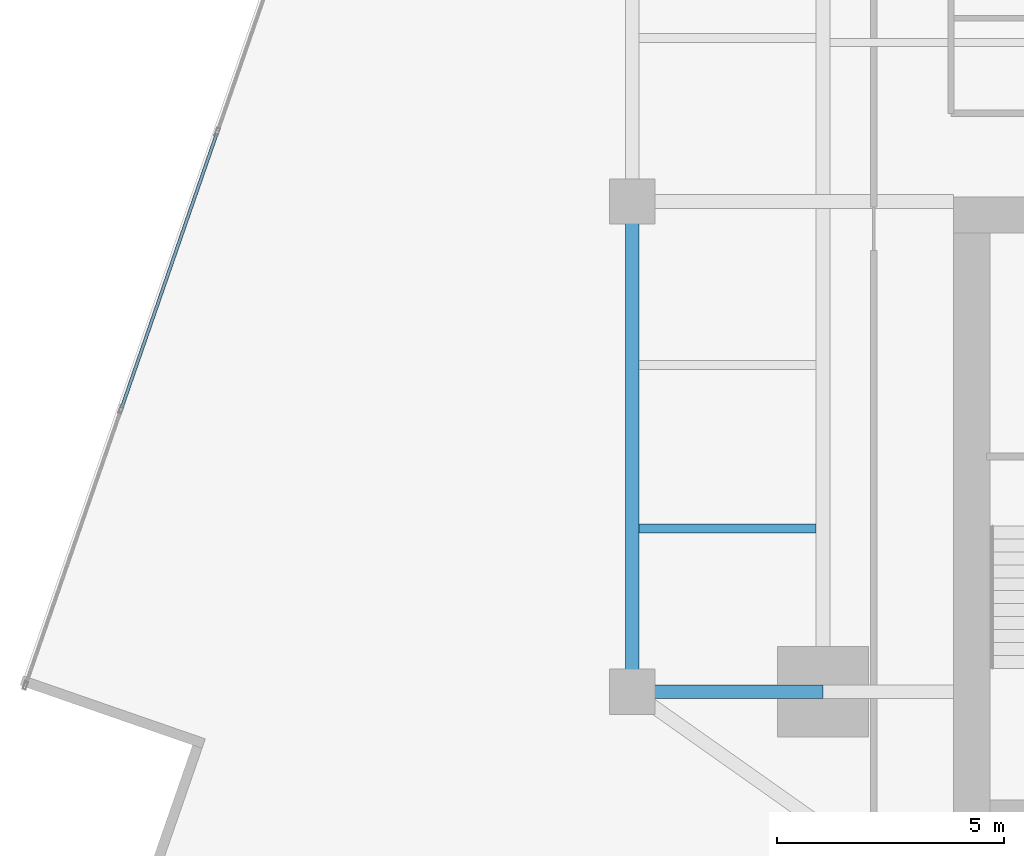
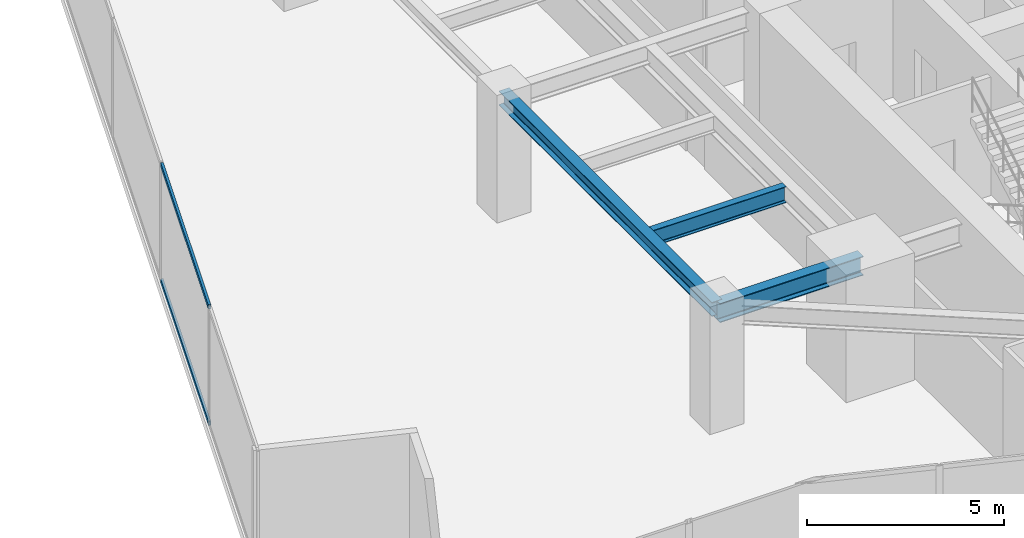
# One storey, part 7 of 27: 3 beams, 2 members, 1 element without a shape of its own.
"""IFC4 building model written with IfcOpenShell, lengths in metres."""

from ifc_helpers import new_model, si_unit, direction, frame, origin, origin_2d, place, context, subcontext, project, spatial, hollow_rectangle, i_section, extrude, source, transform, mapped, material, material_profile, profile_set, type_object, type_shapes, element, aggregate, save


model = new_model("IFC4")

# Units and contexts
model_context = context("Model", 3, precision=1e-05, world=origin(), true_north=direction((0.0, 1.0)))
body_context = subcontext(model_context, "Body", "Model", "MODEL_VIEW")
ifc_project = project(units=[si_unit("LENGTHUNIT", "METRE"), si_unit("AREAUNIT", "SQUARE_METRE"), si_unit("VOLUMEUNIT", "CUBIC_METRE"), si_unit("PLANEANGLEUNIT", "RADIAN"), si_unit("MASSUNIT", "GRAM", prefix="KILO")], contexts=[model_context])

# Site, building, storey
site_placement = place(None, origin())
site = spatial("IfcSite", under=ifc_project, at=site_placement, CompositionType="ELEMENT")
building_placement = place(site_placement, origin())
building = spatial("IfcBuilding", under=site, at=building_placement, Name="Krantzveldt Concourse Tower", CompositionType="ELEMENT")
storey_placement = place(building_placement, frame((0.0, 0.0, 121.64990234375)))
storey = spatial("IfcBuildingStorey", under=building, at=storey_placement, Name="L29", CompositionType="ELEMENT", Elevation=121.64990234375)

# Beams
ifc_material_1 = material(Name="Steel S355JR", Category="steel")
ifc_material_profile_1 = material_profile(ifc_material_1, i_section(OverallWidth=0.300048828125, OverallDepth=0.43994140625, WebThickness=0.011474609375, FlangeThickness=0.02099609375, FilletRadius=0.027099609375, at=origin_2d()), Name="Steel S355JR", Category="steel")
ifc_profile_set_1 = profile_set([ifc_material_profile_1], Name="Steel S355JR - HEA 450")
beam_type_1 = type_object("IfcBeamType", Name="BM-SP-HEA450", PredefinedType="SPANDREL", material=ifc_profile_set_1)
shared_shape_1 = source(origin(), body_context, "Body", "SweptSolid", [
    extrude(i_section(OverallWidth=0.300048828125, OverallDepth=0.43994140625, WebThickness=0.011474609375, FlangeThickness=0.02099609375, FilletRadius=0.027099609375, at=origin_2d()), origin(), (0.0, 0.0, 1.0), 10.800048828125),
])
type_shapes(beam_type_1, [shared_shape_1])
beam_1_placement = place(storey_placement, frame((21.0, 15.89990234375, 3.4501953125), z_axis=(0.0, 1.0, 0.0), x_axis=(-1.0, 0.0, 0.0)))
element("IfcBeam", 1, at=beam_1_placement, inside=storey, type_object=beam_type_1, Name="L29 Tower Girder SP-R01", PredefinedType="SPANDREL", context=body_context, shape_type="MappedRepresentation", body=[
    mapped(shared_shape_1, transform((0.0, 0.0, 0.0), x_axis=(1.0, 0.0, 0.0), y_axis=(0.0, 1.0, 0.0), z_axis=(0.0, 0.0, 1.0), scale=1.0)),
])
ifc_material_profile_2 = material_profile(ifc_material_1, i_section(OverallWidth=0.300048828125, OverallDepth=0.590087890625, WebThickness=0.012939453125, FlangeThickness=0.02490234375, FilletRadius=0.027099609375, at=origin_2d()), Name="Steel S355JR", Category="steel")
ifc_profile_set_2 = profile_set([ifc_material_profile_2], Name="Steel S355JR - HEA 600")
beam_type_2 = type_object("IfcBeamType", Name="BM-B-HEA600", PredefinedType="BEAM", material=ifc_profile_set_2)
shared_shape_2 = source(origin(), body_context, "Body", "SweptSolid", [
    extrude(i_section(OverallWidth=0.300048828125, OverallDepth=0.590087890625, WebThickness=0.012939453125, FlangeThickness=0.02490234375, FilletRadius=0.027099609375, at=origin_2d()), origin(), (0.0, 0.0, 1.0), 4.199951171875),
])
type_shapes(beam_type_2, [shared_shape_2])
beam_2_placement = place(storey_placement, frame((21.0, 15.89990234375, 3.375), z_axis=(1.0, 0.0, 0.0), x_axis=(0.0, 1.0, 0.0)))
element("IfcBeam", 2, at=beam_2_placement, inside=storey, type_object=beam_type_2, Name="L29 Tower Girder BR-RL1", PredefinedType="BEAM", context=body_context, shape_type="MappedRepresentation", body=[
    mapped(shared_shape_2, transform((0.0, 0.0, 0.0), x_axis=(1.0, 0.0, 0.0), y_axis=(0.0, 1.0, 0.0), z_axis=(0.0, 0.0, 1.0), scale=1.0)),
])
ifc_material_profile_3 = material_profile(ifc_material_1, i_section(OverallWidth=0.199951171875, OverallDepth=0.5, WebThickness=0.01025390625, FlangeThickness=0.01611328125, FilletRadius=0.02099609375, at=origin_2d()), Name="Steel S355JR", Category="steel")
ifc_profile_set_3 = profile_set([ifc_material_profile_3], Name="Steel S355JR - IPE 500")
beam_type_3 = type_object("IfcBeamType", Name="BM-J-IPE500", PredefinedType="JOIST", material=ifc_profile_set_3)
shared_shape_3 = source(origin(), body_context, "Body", "SweptSolid", [
    extrude(i_section(OverallWidth=0.199951171875, OverallDepth=0.5, WebThickness=0.01025390625, FlangeThickness=0.01611328125, FilletRadius=0.02099609375, at=origin_2d()), origin(), (0.0, 0.0, 1.0), 3.900146484375),
])
type_shapes(beam_type_3, [shared_shape_3])
beam_3_placement = place(storey_placement, frame((21.14990234375, 19.5, 3.420166015625), z_axis=(1.0, 0.0, 0.0), x_axis=(0.0, 1.0, 0.0)))
element("IfcBeam", 3, at=beam_3_placement, inside=storey, type_object=beam_type_3, Name="L29 Secondary Floor Joist JW-1", PredefinedType="JOIST", context=body_context, shape_type="MappedRepresentation", body=[
    mapped(shared_shape_3, transform((0.0, 0.0, 0.0), x_axis=(1.0, 0.0, 0.0), y_axis=(0.0, 1.0, 0.0), z_axis=(0.0, 0.0, 1.0), scale=1.0)),
])

# Curtain wall, members
ifc_material_2 = material(Name="Anodised aluminium 6063-T6", Category="aluminium")
curtain_wall_type = type_object("IfcCurtainWallType", Name="CW2", PredefinedType="USERDEFINED", material=ifc_material_2)
curtain_wall_placement = place(storey_placement, origin())
curtain_wall = element("IfcCurtainWall", 4, at=curtain_wall_placement, inside=storey, type_object=curtain_wall_type, Name="CW-L29-F01", ObjectType="UNITISED CURTAIN WALL", PredefinedType="USERDEFINED")
ifc_material_profile_4 = material_profile(ifc_material_2, hollow_rectangle(XDim=0.070068359375, YDim=0.139892578125, WallThickness=0.0048828125, at=origin_2d()), Name="Anodised aluminium 6063-T6", Category="aluminium")
ifc_profile_set_4 = profile_set([ifc_material_profile_4], Name="Anodised aluminium 6063-T6 - ALU-TRAN 140x70x5")
member_type = type_object("IfcMemberType", Name="CW-TRN-150", PredefinedType="USERDEFINED", material=ifc_profile_set_4)
shared_shape_4 = source(origin(), body_context, "Body", "SweptSolid", [
    extrude(hollow_rectangle(XDim=0.070068359375, YDim=0.139892578125, WallThickness=0.0048828125, at=origin_2d()), origin(), (0.0, 0.0, 1.0), 6.396728515625),
])
type_shapes(member_type, [shared_shape_4])
member_1_placement = place(storey_placement, frame((11.846435546875, 28.1943359375, 0.03515625), z_axis=(-0.327620443666, -0.944809422525, 0.0), x_axis=(0.944809422525, -0.327620443666, 0.0)))
member_1 = element("IfcMember", 5, at=member_1_placement, type_object=member_type, Name="CW-Z12 transom 5.1", ObjectType="TRANSOM", PredefinedType="USERDEFINED", context=body_context, shape_type="MappedRepresentation", body=[
    mapped(shared_shape_4, transform((0.0, 0.0, 0.0), x_axis=(1.0, 0.0, 0.0), y_axis=(0.0, 1.0, 0.0), z_axis=(0.0, 0.0, 1.0), scale=1.0)),
])
member_2_placement = place(storey_placement, frame((11.846435546875, 28.1943359375, 3.635009765625), z_axis=(-0.327620443666, -0.944809422525, 0.0), x_axis=(0.944809422525, -0.327620443666, 0.0)))
member_2 = element("IfcMember", 6, at=member_2_placement, type_object=member_type, Name="CW-Z12 transom 5.2", ObjectType="TRANSOM", PredefinedType="USERDEFINED", context=body_context, shape_type="MappedRepresentation", body=[
    mapped(shared_shape_4, transform((0.0, 0.0, 0.0), x_axis=(1.0, 0.0, 0.0), y_axis=(0.0, 1.0, 0.0), z_axis=(0.0, 0.0, 1.0), scale=1.0)),
])
aggregate(curtain_wall, [member_1, member_2])

save(model, "model.ifc")
